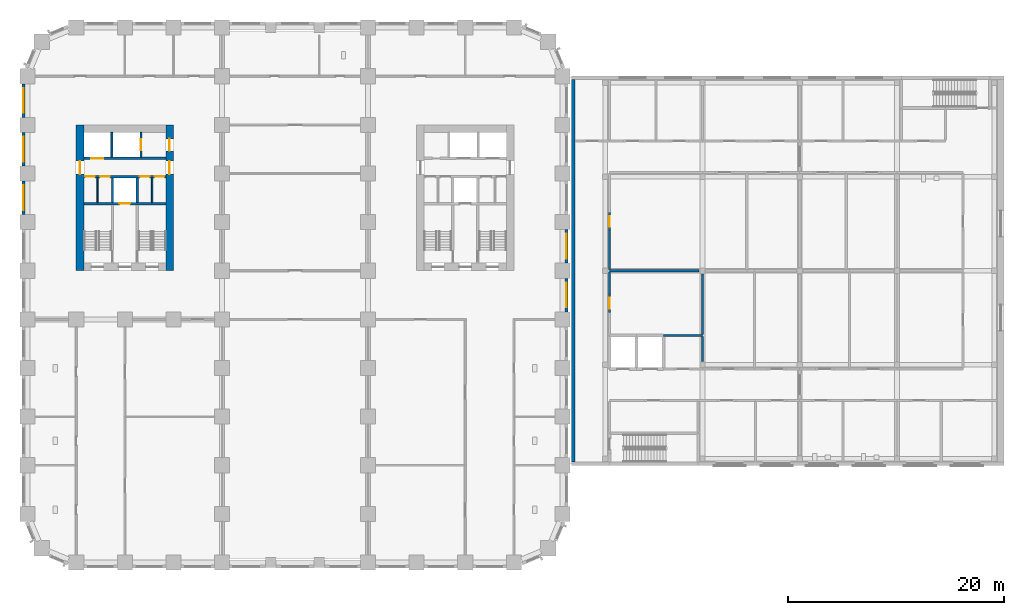
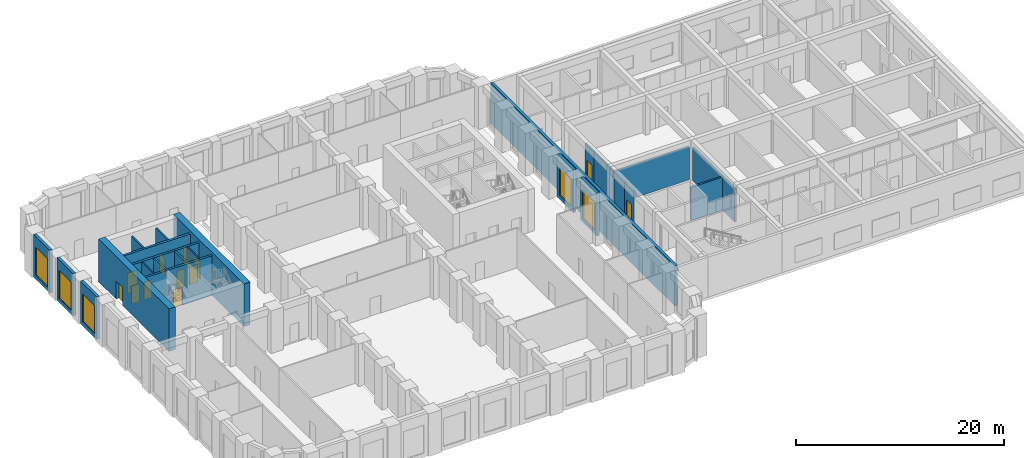
# One storey, part 6 of 19: 25 walls, 12 doors, 5 windows, 17 openings.
"""IFC4 building model written with IfcOpenShell, lengths in metres."""

from ifc_helpers import new_model, si_unit, direction, frame, frame_2d, origin, place, context, subcontext, project, spatial, rectangle, extrude, material, layer, layer_set, type_object, element, fill, save


model = new_model("IFC4")

# Units and contexts
model_context = context("Model", 3, precision=1e-05, world=origin(), true_north=direction((0.0, 1.0)))
body_context = subcontext(model_context, "Body", "Model", "MODEL_VIEW")
ifc_project = project(units=[si_unit("LENGTHUNIT", "METRE"), si_unit("AREAUNIT", "SQUARE_METRE"), si_unit("VOLUMEUNIT", "CUBIC_METRE"), si_unit("PLANEANGLEUNIT", "RADIAN"), si_unit("MASSUNIT", "GRAM", prefix="KILO")], contexts=[model_context])

# Site, building, storey
site_placement = place(None, origin())
site = spatial("IfcSite", under=ifc_project, at=site_placement, CompositionType="ELEMENT")
building_placement = place(site_placement, origin())
building = spatial("IfcBuilding", under=site, at=building_placement, Name="Girih Gate Residences", CompositionType="ELEMENT")
storey_placement = place(building_placement, frame((0.0, 0.0, 21.0)))
storey = spatial("IfcBuildingStorey", under=building, at=storey_placement, Name="L04", CompositionType="ELEMENT", Elevation=21.0)

# Wall, opening, door
ifc_material_1 = material(Name="Concrete C60/75", Category="concrete")
ifc_layer_1 = layer(ifc_material_1, 0.699951171875)
ifc_layer_set_1 = layer_set([ifc_layer_1], Name="Core wall RC 700 Concrete C60/75")
wall_type_1 = type_object("IfcWallType", Name="Core wall RC 700 Concrete C60/75", PredefinedType="SOLIDWALL", material=ifc_layer_set_1)
wall_1_placement = place(storey_placement, frame((4.85009765625, 27.0, 0.0), z_axis=(0.0, 0.0, 1.0), x_axis=(0.0, 1.0, 0.0)))
wall_1 = element("IfcWall", 1, at=wall_1_placement, inside=storey, type_object=wall_type_1, Name="Core wall W-W L04", PredefinedType="SOLIDWALL", context=body_context, shape_type="SweptSolid", body=[
    extrude(rectangle(XDim=13.5, YDim=0.699951171875, at=frame_2d((6.75, 0.0))), origin(), (0.0, 0.0, 1.0), 5.0),
])
opening_1_placement = place(wall_1_placement, frame((8.949951171875, 0.0, 0.0)))
opening_1 = element("IfcOpeningElement", 2, at=opening_1_placement, cuts=wall_1, Name="Opening D-L04-W-014", PredefinedType="OPENING", context=body_context, shape_type="SweptSolid", body=[
    extrude(rectangle(XDim=1.199951171875, YDim=2.10009765625, at=frame_2d((0.60009765625, 1.050048828125))), frame((0.0, 0.35986328125, 0.0), z_axis=(0.0, -1.0, 0.0), x_axis=(1.0, 0.0, 0.0)), (0.0, 0.0, 1.0), 0.719970703125),
])
ifc_material_2 = material(Name="Painted steel, fire-resisting", Category="steel")
door_type_1 = type_object("IfcDoorType", Name="Fire door 1200x2100", OperationType="SINGLE_SWING_LEFT", PredefinedType="DOOR", material=ifc_material_2)
door_1_placement = place(opening_1_placement, origin())
door_1 = element("IfcDoor", 3, at=door_1_placement, inside=storey, type_object=door_type_1, Name="L04 W core door ll-w", OperationType="SINGLE_SWING_LEFT", OverallHeight=2.10009765625, OverallWidth=1.199951171875, PredefinedType="DOOR", context=body_context, shape_type="SweptSolid", body=[
    extrude(rectangle(XDim=1.199951171875, YDim=2.10009765625, at=frame_2d((0.60009765625, 1.050048828125))), frame((0.0, 0.02490234375, 0.0), z_axis=(0.0, -1.0, 0.0), x_axis=(1.0, 0.0, 0.0)), (0.0, 0.0, 1.0), 0.050048828125),
])
fill(opening_1, door_1)

# Wall, openings, doors
wall_2_placement = place(storey_placement, frame((13.14990234375, 27.0, 0.0), z_axis=(0.0, 0.0, 1.0), x_axis=(0.0, 1.0, 0.0)))
wall_2 = element("IfcWall", 4, at=wall_2_placement, inside=storey, type_object=wall_type_1, Name="Core wall W-E L04", PredefinedType="SOLIDWALL", context=body_context, shape_type="SweptSolid", body=[
    extrude(rectangle(XDim=13.5, YDim=0.699951171875, at=frame_2d((6.75, 0.0))), origin(), (0.0, 0.0, 1.0), 5.0),
])
opening_2_placement = place(wall_2_placement, frame((11.10009765625, 0.0, 0.0)))
opening_2 = element("IfcOpeningElement", 5, at=opening_2_placement, cuts=wall_2, Name="Opening D-L04-W-013", PredefinedType="OPENING", context=body_context, shape_type="SweptSolid", body=[
    extrude(rectangle(XDim=1.10009765625, YDim=2.10009765625, at=frame_2d((0.550048828125, 1.050048828125))), frame((0.0, 0.35986328125, 0.0), z_axis=(0.0, -1.0, 0.0), x_axis=(1.0, 0.0, 0.0)), (0.0, 0.0, 1.0), 0.719970703125),
])
opening_3_placement = place(wall_2_placement, frame((8.949951171875, 0.0, 0.0)))
opening_3 = element("IfcOpeningElement", 6, at=opening_3_placement, cuts=wall_2, Name="Opening D-L04-W-015", PredefinedType="OPENING", context=body_context, shape_type="SweptSolid", body=[
    extrude(rectangle(XDim=1.199951171875, YDim=2.10009765625, at=frame_2d((0.60009765625, 1.050048828125))), frame((0.0, 0.35986328125, 0.0), z_axis=(0.0, -1.0, 0.0), x_axis=(1.0, 0.0, 0.0)), (0.0, 0.0, 1.0), 0.719970703125),
])
door_type_2 = type_object("IfcDoorType", Name="Fire door 1100x2100", OperationType="SINGLE_SWING_LEFT", PredefinedType="DOOR", material=ifc_material_2)
door_2_placement = place(opening_2_placement, origin())
door_2 = element("IfcDoor", 7, at=door_2_placement, inside=storey, type_object=door_type_2, Name="L04 W core door ffl2-e", OperationType="SINGLE_SWING_LEFT", OverallHeight=2.10009765625, OverallWidth=1.10009765625, PredefinedType="DOOR", context=body_context, shape_type="SweptSolid", body=[
    extrude(rectangle(XDim=1.10009765625, YDim=2.10009765625, at=frame_2d((0.550048828125, 1.050048828125))), frame((0.0, 0.02490234375, 0.0), z_axis=(0.0, -1.0, 0.0), x_axis=(1.0, 0.0, 0.0)), (0.0, 0.0, 1.0), 0.050048828125),
])
fill(opening_2, door_2)
door_3_placement = place(opening_3_placement, origin())
door_3 = element("IfcDoor", 8, at=door_3_placement, inside=storey, type_object=door_type_1, Name="L04 W core door ll-e", OperationType="SINGLE_SWING_LEFT", OverallHeight=2.10009765625, OverallWidth=1.199951171875, PredefinedType="DOOR", context=body_context, shape_type="SweptSolid", body=[
    extrude(rectangle(XDim=1.199951171875, YDim=2.10009765625, at=frame_2d((0.60009765625, 1.050048828125))), frame((0.0, 0.02490234375, 0.0), z_axis=(0.0, -1.0, 0.0), x_axis=(1.0, 0.0, 0.0)), (0.0, 0.0, 1.0), 0.050048828125),
])
fill(opening_3, door_3)

# Wall
ifc_material_3 = material(Name="Fire-rated gypsum partition")
ifc_layer_2 = layer(ifc_material_3, 0.199951171875)
ifc_layer_set_2 = layer_set([ifc_layer_2], Name="HC Corridor wall 200 EI 60")
wall_type_2 = type_object("IfcWallType", Name="HC Corridor wall 200 EI 60", PredefinedType="PARTITIONING", material=ifc_layer_set_2)
wall_3_placement = place(storey_placement, frame((58.85009765625, 21.0, 0.0), z_axis=(0.0, 0.0, 1.0), x_axis=(1.0, 0.0, 0.0)))
element("IfcWall", 9, at=wall_3_placement, inside=storey, type_object=wall_type_2, Name="L04 wall x21.00/58.9", PredefinedType="PARTITIONING", context=body_context, shape_type="SweptSolid", body=[
    extrude(rectangle(XDim=3.599853515625, YDim=0.199951171875, at=frame_2d((1.7998046875, 0.0))), origin(), (0.0, 0.0, 1.0), 3.89990234375),
])

# Wall, opening, door
wall_4_placement = place(storey_placement, frame((53.85009765625, 24.85009765625, 0.0), z_axis=(0.0, 0.0, 1.0), x_axis=(0.0, -1.0, 0.0)))
wall_4 = element("IfcWall", 10, at=wall_4_placement, inside=storey, type_object=wall_type_2, Name="L04 wall y53.85/23.1", PredefinedType="PARTITIONING", context=body_context, shape_type="SweptSolid", body=[
    extrude(rectangle(XDim=1.7001953125, YDim=0.199951171875, at=frame_2d((0.85009765625, 0.0))), origin(), (0.0, 0.0, 1.0), 3.89990234375),
])
opening_4_placement = place(wall_4_placement, frame((0.35009765625, 0.0, 0.0)))
opening_4 = element("IfcOpeningElement", 11, at=opening_4_placement, cuts=wall_4, Name="Opening HC-L04-D15", PredefinedType="OPENING", context=body_context, shape_type="SweptSolid", body=[
    extrude(rectangle(XDim=1.0, YDim=2.10009765625, at=frame_2d((0.5, 1.050048828125))), frame((0.0, 0.10986328125, 0.0), z_axis=(0.0, -1.0, 0.0), x_axis=(1.0, 0.0, 0.0)), (0.0, 0.0, 1.0), 0.219970703125),
])
ifc_material_4 = material(Name="Timber door set", Category="wood")
door_type_3 = type_object("IfcDoorType", Name="HC Door 1000x2100 FD30S", OperationType="NOTDEFINED", PredefinedType="DOOR", material=ifc_material_4)
door_4_placement = place(opening_4_placement, origin())
door_4 = element("IfcDoor", 12, at=door_4_placement, inside=storey, type_object=door_type_3, Name="L04 Seminar and training room door", OperationType="SINGLE_SWING_RIGHT", OverallHeight=2.10009765625, OverallWidth=1.0, PredefinedType="DOOR", context=body_context, shape_type="SweptSolid", body=[
    extrude(rectangle(XDim=1.0, YDim=2.10009765625, at=frame_2d((0.5, 1.050048828125))), frame((0.0, 0.02490234375, 0.0), z_axis=(0.0, -1.0, 0.0), x_axis=(1.0, 0.0, 0.0)), (0.0, 0.0, 1.0), 0.050048828125),
])
fill(opening_4, door_4)

# Walls
wall_5_placement = place(storey_placement, frame((53.85009765625, 24.85009765625, 0.0), z_axis=(0.0, 0.0, 1.0), x_axis=(0.0, 1.0, 0.0)))
element("IfcWall", 13, at=wall_5_placement, inside=storey, type_object=wall_type_2, Name="L04 wall y53.85/24.9", PredefinedType="PARTITIONING", context=body_context, shape_type="SweptSolid", body=[
    extrude(rectangle(XDim=2.0498046875, YDim=0.199951171875, at=frame_2d((1.02490234375, 0.0))), origin(), (0.0, 0.0, 1.0), 3.89990234375),
])
wall_6_placement = place(storey_placement, frame((53.85009765625, 27.10009765625, 0.0), z_axis=(0.0, 0.0, 1.0), x_axis=(0.0, 1.0, 0.0)))
element("IfcWall", 14, at=wall_6_placement, inside=storey, type_object=wall_type_2, Name="L04 wall y53.85/27.1", PredefinedType="PARTITIONING", context=body_context, shape_type="SweptSolid", body=[
    extrude(rectangle(XDim=3.599853515625, YDim=0.199951171875, at=frame_2d((1.7998046875, 0.0))), origin(), (0.0, 0.0, 1.0), 3.89990234375),
])

# Wall, opening, door
wall_7_placement = place(storey_placement, frame((53.85009765625, 32.39990234375, 0.0), z_axis=(0.0, 0.0, 1.0), x_axis=(0.0, -1.0, 0.0)))
wall_7 = element("IfcWall", 15, at=wall_7_placement, inside=storey, type_object=wall_type_2, Name="L04 wall y53.85/30.7", PredefinedType="PARTITIONING", context=body_context, shape_type="SweptSolid", body=[
    extrude(rectangle(XDim=1.699951171875, YDim=0.199951171875, at=frame_2d((0.85009765625, 0.0))), origin(), (0.0, 0.0, 1.0), 3.89990234375),
])
opening_5_placement = place(wall_7_placement, frame((0.35009765625, 0.0, 0.0)))
opening_5 = element("IfcOpeningElement", 16, at=opening_5_placement, cuts=wall_7, Name="Opening HC-L04-D21", PredefinedType="OPENING", context=body_context, shape_type="SweptSolid", body=[
    extrude(rectangle(XDim=1.0, YDim=2.10009765625, at=frame_2d((0.5, 1.050048828125))), frame((0.0, 0.10986328125, 0.0), z_axis=(0.0, -1.0, 0.0), x_axis=(1.0, 0.0, 0.0)), (0.0, 0.0, 1.0), 0.219970703125),
])
door_5_placement = place(opening_5_placement, origin())
door_5 = element("IfcDoor", 17, at=door_5_placement, inside=storey, type_object=door_type_3, Name="L04 Staff lounge 1 door", OperationType="SINGLE_SWING_RIGHT", OverallHeight=2.10009765625, OverallWidth=1.0, PredefinedType="DOOR", context=body_context, shape_type="SweptSolid", body=[
    extrude(rectangle(XDim=1.0, YDim=2.10009765625, at=frame_2d((0.5, 1.050048828125))), frame((0.0, 0.02490234375, 0.0), z_axis=(0.0, -1.0, 0.0), x_axis=(1.0, 0.0, 0.0)), (0.0, 0.0, 1.0), 0.050048828125),
])
fill(opening_5, door_5)

# Walls
wall_8_placement = place(storey_placement, frame((62.449951171875, 18.60009765625, 0.0), z_axis=(0.0, 0.0, 1.0), x_axis=(0.0, 1.0, 0.0)))
element("IfcWall", 18, at=wall_8_placement, inside=storey, type_object=wall_type_2, Name="L04 wall y62.45/18.6", PredefinedType="PARTITIONING", context=body_context, shape_type="SweptSolid", body=[
    extrude(rectangle(XDim=2.2998046875, YDim=0.199951171875, at=frame_2d((1.14990234375, 0.0))), origin(), (0.0, 0.0, 1.0), 3.89990234375),
])
ifc_material_5 = material(Name="Precast concrete C40/50", Category="concrete")
ifc_layer_3 = layer(ifc_material_5, 0.300048828125)
ifc_layer_set_3 = layer_set([ifc_layer_3], Name="HC Facade wall 300")
wall_type_3 = type_object("IfcWallType", Name="HC Facade wall 300", PredefinedType="SOLIDWALL", material=ifc_layer_set_3)
wall_9_placement = place(storey_placement, frame((50.5, 9.300048828125, 0.0), z_axis=(0.0, 0.0, 1.0), x_axis=(0.0, 1.0, 0.0)))
element("IfcWall", 19, at=wall_9_placement, inside=storey, type_object=wall_type_3, Name="L04 west facade wall", PredefinedType="SOLIDWALL", context=body_context, shape_type="SweptSolid", body=[
    extrude(rectangle(XDim=35.39990234375, YDim=0.300048828125, at=frame_2d((17.699951171875, 0.0))), origin(), (0.0, 0.0, 1.0), 4.699951171875),
])
ifc_material_6 = material(Name="Gypsum partition")
ifc_layer_4 = layer(ifc_material_6, 0.199951171875)
ifc_layer_set_4 = layer_set([ifc_layer_4], Name="HC Room partition 200 EI 30")
wall_type_4 = type_object("IfcWallType", Name="HC Room partition 200 EI 30", PredefinedType="PARTITIONING", material=ifc_layer_set_4)
wall_10_placement = place(storey_placement, frame((53.85009765625, 27.0, 0.0), z_axis=(0.0, 0.0, 1.0), x_axis=(1.0, 0.0, 0.0)))
element("IfcWall", 20, at=wall_10_placement, inside=storey, type_object=wall_type_4, Name="L04 wall x27.00/53.9", PredefinedType="PARTITIONING", context=body_context, shape_type="SweptSolid", body=[
    extrude(rectangle(XDim=8.2998046875, YDim=0.199951171875, at=frame_2d((4.14990234375, 0.0))), origin(), (0.0, 0.0, 1.0), 3.89990234375),
])
wall_11_placement = place(storey_placement, frame((62.449951171875, 21.10009765625, 0.0), z_axis=(0.0, 0.0, 1.0), x_axis=(0.0, 1.0, 0.0)))
element("IfcWall", 21, at=wall_11_placement, inside=storey, type_object=wall_type_4, Name="L04 wall y62.45/21.1", PredefinedType="PARTITIONING", context=body_context, shape_type="SweptSolid", body=[
    extrude(rectangle(XDim=5.599853515625, YDim=0.199951171875, at=frame_2d((2.7998046875, 0.0))), origin(), (0.0, 0.0, 1.0), 3.89990234375),
])

# Wall, opening, door
ifc_material_7 = material(Name="Concrete C40/50", Category="concrete")
ifc_layer_5 = layer(ifc_material_7, 0.25)
ifc_layer_set_5 = layer_set([ifc_layer_5], Name="Lift shaft wall 250")
wall_type_5 = type_object("IfcWallType", Name="Lift shaft wall 250", PredefinedType="SOLIDWALL", material=ifc_layer_set_5)
wall_12_placement = place(storey_placement, frame((5.199951171875, 33.199951171875, 0.0), z_axis=(0.0, 0.0, 1.0), x_axis=(1.0, 0.0, 0.0)))
wall_12 = element("IfcWall", 22, at=wall_12_placement, inside=storey, type_object=wall_type_5, Name="L04 W core wall H1", PredefinedType="SOLIDWALL", context=body_context, shape_type="SweptSolid", body=[
    extrude(rectangle(XDim=7.60009765625, YDim=0.25, at=frame_2d((3.800048828125, 0.0))), origin(), (0.0, 0.0, 1.0), 4.64990234375),
])
opening_6_placement = place(wall_12_placement, frame((3.300048828125, 0.0, 0.0)))
opening_6 = element("IfcOpeningElement", 23, at=opening_6_placement, cuts=wall_12, Name="Opening D-L04-W-005", PredefinedType="OPENING", context=body_context, shape_type="SweptSolid", body=[
    extrude(rectangle(XDim=1.0, YDim=2.10009765625, at=frame_2d((0.5, 1.050048828125))), frame((0.0, 0.135009765625, 0.0), z_axis=(0.0, -1.0, 0.0), x_axis=(1.0, 0.0, 0.0)), (0.0, 0.0, 1.0), 0.27001953125),
])
ifc_material_8 = material(Name="Stainless steel, fire-resisting", Category="steel")
door_type_4 = type_object("IfcDoorType", Name="Firefighting lift landing door 1000x2100", OperationType="SLIDING_TO_LEFT", PredefinedType="DOOR", material=ifc_material_8)
door_6_placement = place(opening_6_placement, origin())
door_6 = element("IfcDoor", 24, at=door_6_placement, inside=storey, type_object=door_type_4, Name="L04 lift FF-W landing door", OperationType="SLIDING_TO_LEFT", OverallHeight=2.10009765625, OverallWidth=1.0, PredefinedType="DOOR", context=body_context, shape_type="SweptSolid", body=[
    extrude(rectangle(XDim=1.0, YDim=2.10009765625, at=frame_2d((0.5, 1.050048828125))), frame((0.0, 0.02490234375, 0.0), z_axis=(0.0, -1.0, 0.0), x_axis=(1.0, 0.0, 0.0)), (0.0, 0.0, 1.0), 0.050048828125),
])
fill(opening_6, door_6)

# Wall, openings, doors
wall_13_placement = place(storey_placement, frame((5.199951171875, 35.699951171875, 0.0), z_axis=(0.0, 0.0, 1.0), x_axis=(1.0, 0.0, 0.0)))
wall_13 = element("IfcWall", 25, at=wall_13_placement, inside=storey, type_object=wall_type_5, Name="L04 W core wall H2", PredefinedType="SOLIDWALL", context=body_context, shape_type="SweptSolid", body=[
    extrude(rectangle(XDim=7.60009765625, YDim=0.25, at=frame_2d((3.800048828125, 0.0))), origin(), (0.0, 0.0, 1.0), 4.64990234375),
])
opening_7_placement = place(wall_13_placement, frame((0.137451171875, 0.0, 0.0)))
opening_7 = element("IfcOpeningElement", 26, at=opening_7_placement, cuts=wall_13, Name="Opening D-L04-W-006", PredefinedType="OPENING", context=body_context, shape_type="SweptSolid", body=[
    extrude(rectangle(XDim=0.89990234375, YDim=2.10009765625, at=frame_2d((0.449951171875, 1.050048828125))), frame((0.0, 0.135009765625, 0.0), z_axis=(0.0, -1.0, 0.0), x_axis=(1.0, 0.0, 0.0)), (0.0, 0.0, 1.0), 0.27001953125),
])
opening_8_placement = place(wall_13_placement, frame((1.512451171875, 0.0, 0.0)))
opening_8 = element("IfcOpeningElement", 27, at=opening_8_placement, cuts=wall_13, Name="Opening D-L04-W-007", PredefinedType="OPENING", context=body_context, shape_type="SweptSolid", body=[
    extrude(rectangle(XDim=0.89990234375, YDim=2.10009765625, at=frame_2d((0.449951171875, 1.050048828125))), frame((0.0, 0.135009765625, 0.0), z_axis=(0.0, -1.0, 0.0), x_axis=(1.0, 0.0, 0.0)), (0.0, 0.0, 1.0), 0.27001953125),
])
opening_9_placement = place(wall_13_placement, frame((5.1875, 0.0, 0.0)))
opening_9 = element("IfcOpeningElement", 28, at=opening_9_placement, cuts=wall_13, Name="Opening D-L04-W-008", PredefinedType="OPENING", context=body_context, shape_type="SweptSolid", body=[
    extrude(rectangle(XDim=0.89990234375, YDim=2.10009765625, at=frame_2d((0.449951171875, 1.050048828125))), frame((0.0, 0.135009765625, 0.0), z_axis=(0.0, -1.0, 0.0), x_axis=(1.0, 0.0, 0.0)), (0.0, 0.0, 1.0), 0.27001953125),
])
opening_10_placement = place(wall_13_placement, frame((6.5625, 0.0, 0.0)))
opening_10 = element("IfcOpeningElement", 29, at=opening_10_placement, cuts=wall_13, Name="Opening D-L04-W-009", PredefinedType="OPENING", context=body_context, shape_type="SweptSolid", body=[
    extrude(rectangle(XDim=0.89990234375, YDim=2.10009765625, at=frame_2d((0.449951171875, 1.050048828125))), frame((0.0, 0.135009765625, 0.0), z_axis=(0.0, -1.0, 0.0), x_axis=(1.0, 0.0, 0.0)), (0.0, 0.0, 1.0), 0.27001953125),
])
door_type_5 = type_object("IfcDoorType", Name="Fire door 900x2100", OperationType="SINGLE_SWING_LEFT", PredefinedType="DOOR", material=ifc_material_2)
door_7_placement = place(opening_7_placement, origin())
door_7 = element("IfcDoor", 30, at=door_7_placement, inside=storey, type_object=door_type_5, Name="L04 W cleaners store door", OperationType="SINGLE_SWING_LEFT", OverallHeight=2.10009765625, OverallWidth=0.89990234375, PredefinedType="DOOR", context=body_context, shape_type="SweptSolid", body=[
    extrude(rectangle(XDim=0.89990234375, YDim=2.10009765625, at=frame_2d((0.449951171875, 1.050048828125))), frame((0.0, 0.02490234375, 0.0), z_axis=(0.0, -1.0, 0.0), x_axis=(1.0, 0.0, 0.0)), (0.0, 0.0, 1.0), 0.050048828125),
])
fill(opening_7, door_7)
door_8_placement = place(opening_8_placement, origin())
door_8 = element("IfcDoor", 31, at=door_8_placement, inside=storey, type_object=door_type_5, Name="L04 W riser room door", OperationType="SINGLE_SWING_LEFT", OverallHeight=2.10009765625, OverallWidth=0.89990234375, PredefinedType="DOOR", context=body_context, shape_type="SweptSolid", body=[
    extrude(rectangle(XDim=0.89990234375, YDim=2.10009765625, at=frame_2d((0.449951171875, 1.050048828125))), frame((0.0, 0.02490234375, 0.0), z_axis=(0.0, -1.0, 0.0), x_axis=(1.0, 0.0, 0.0)), (0.0, 0.0, 1.0), 0.050048828125),
])
fill(opening_8, door_8)
door_9_placement = place(opening_9_placement, origin())
door_9 = element("IfcDoor", 32, at=door_9_placement, inside=storey, type_object=door_type_5, Name="L04 W electrical room door", OperationType="SINGLE_SWING_LEFT", OverallHeight=2.10009765625, OverallWidth=0.89990234375, PredefinedType="DOOR", context=body_context, shape_type="SweptSolid", body=[
    extrude(rectangle(XDim=0.89990234375, YDim=2.10009765625, at=frame_2d((0.449951171875, 1.050048828125))), frame((0.0, 0.02490234375, 0.0), z_axis=(0.0, -1.0, 0.0), x_axis=(1.0, 0.0, 0.0)), (0.0, 0.0, 1.0), 0.050048828125),
])
fill(opening_9, door_9)
door_10_placement = place(opening_10_placement, origin())
door_10 = element("IfcDoor", 33, at=door_10_placement, inside=storey, type_object=door_type_5, Name="L04 W linen store door", OperationType="SINGLE_SWING_LEFT", OverallHeight=2.10009765625, OverallWidth=0.89990234375, PredefinedType="DOOR", context=body_context, shape_type="SweptSolid", body=[
    extrude(rectangle(XDim=0.89990234375, YDim=2.10009765625, at=frame_2d((0.449951171875, 1.050048828125))), frame((0.0, 0.02490234375, 0.0), z_axis=(0.0, -1.0, 0.0), x_axis=(1.0, 0.0, 0.0)), (0.0, 0.0, 1.0), 0.050048828125),
])
fill(opening_10, door_10)

# Wall, opening, door
wall_14_placement = place(storey_placement, frame((5.199951171875, 37.39990234375, 0.0), z_axis=(0.0, 0.0, 1.0), x_axis=(1.0, 0.0, 0.0)))
wall_14 = element("IfcWall", 34, at=wall_14_placement, inside=storey, type_object=wall_type_5, Name="L04 W core wall H3", PredefinedType="SOLIDWALL", context=body_context, shape_type="SweptSolid", body=[
    extrude(rectangle(XDim=7.60009765625, YDim=0.25, at=frame_2d((3.800048828125, 0.0))), origin(), (0.0, 0.0, 1.0), 4.64990234375),
])
opening_11_placement = place(wall_14_placement, frame((0.699951171875, 0.0, 0.0)))
opening_11 = element("IfcOpeningElement", 35, at=opening_11_placement, cuts=wall_14, Name="Opening D-L04-W-003", PredefinedType="OPENING", context=body_context, shape_type="SweptSolid", body=[
    extrude(rectangle(XDim=1.10009765625, YDim=2.39990234375, at=frame_2d((0.550048828125, 1.199951171875))), frame((0.0, 0.135009765625, 0.0), z_axis=(0.0, -1.0, 0.0), x_axis=(1.0, 0.0, 0.0)), (0.0, 0.0, 1.0), 0.27001953125),
])
ifc_material_9 = material(Name="Stainless steel", Category="steel")
door_type_6 = type_object("IfcDoorType", Name="Lift landing door 1100x2400", OperationType="SLIDING_TO_LEFT", PredefinedType="DOOR", material=ifc_material_9)
door_11_placement = place(opening_11_placement, origin())
door_11 = element("IfcDoor", 36, at=door_11_placement, inside=storey, type_object=door_type_6, Name="L04 lift LR-W1 landing door", OperationType="SLIDING_TO_LEFT", OverallHeight=2.39990234375, OverallWidth=1.10009765625, PredefinedType="DOOR", context=body_context, shape_type="SweptSolid", body=[
    extrude(rectangle(XDim=1.10009765625, YDim=2.39990234375, at=frame_2d((0.550048828125, 1.199951171875))), frame((0.0, 0.02490234375, 0.0), z_axis=(0.0, -1.0, 0.0), x_axis=(1.0, 0.0, 0.0)), (0.0, 0.0, 1.0), 0.050048828125),
])
fill(opening_11, door_11)

# Wall, opening, window
ifc_material_10 = material(Name="Precast concrete C50/60", Category="concrete")
ifc_layer_6 = layer(ifc_material_10, 0.080078125, Name="Outer leaf")
ifc_material_11 = material(Name="Rigid PIR insulation")
ifc_layer_7 = layer(ifc_material_11, 0.14990234375, Name="Insulation")
ifc_layer_8 = layer(ifc_material_5, 0.070068359375, Name="Inner leaf")
ifc_layer_set_6 = layer_set([ifc_layer_6, ifc_layer_7, ifc_layer_8], Name="Precast concrete C50/60 external wall 300")
wall_type_6 = type_object("IfcWallType", Name="Precast concrete C50/60 external wall 300", PredefinedType="SOLIDWALL", material=ifc_layer_set_6)
wall_15_placement = place(storey_placement, frame((49.875, 26.300048828125, 0.0), z_axis=(0.0, 0.0, 1.0), x_axis=(0.0, -1.0, 0.0)))
wall_15 = element("IfcWall", 37, at=wall_15_placement, inside=storey, type_object=wall_type_6, Name="External wall E0495_0045.4", PredefinedType="SOLIDWALL", context=body_context, shape_type="SweptSolid", body=[
    extrude(rectangle(XDim=3.10009765625, YDim=0.300048828125, at=frame_2d((1.550048828125, 0.0))), origin(), (0.0, 0.0, 1.0), 5.0),
])
opening_12_placement = place(wall_15_placement, frame((0.39990234375, 0.0, 0.449951171875)))
opening_12 = element("IfcOpeningElement", 38, at=opening_12_placement, cuts=wall_15, Name="Opening W-3", PredefinedType="OPENING", context=body_context, shape_type="SweptSolid", body=[
    extrude(rectangle(XDim=2.300048828125, YDim=3.300048828125, at=frame_2d((1.14990234375, 1.64990234375))), frame((0.0, 0.159912109375, 0.0), z_axis=(0.0, -1.0, 0.0), x_axis=(1.0, 0.0, 0.0)), (0.0, 0.0, 1.0), 0.320068359375),
])
ifc_material_12 = material(Name="Double glazing in aluminium frame", Category="aluminium")
window_type = type_object("IfcWindowType", Name="Window W-3 2300x3300", PartitioningType="SINGLE_PANEL", PredefinedType="WINDOW", material=ifc_material_12)
window_1_placement = place(opening_12_placement, origin())
window_1 = element("IfcWindow", 39, at=window_1_placement, inside=storey, type_object=window_type, Name="Window W-3 E0495_0045.4", OverallHeight=3.300048828125, OverallWidth=2.300048828125, PartitioningType="SINGLE_PANEL", PredefinedType="WINDOW", context=body_context, shape_type="SweptSolid", body=[
    extrude(rectangle(XDim=2.300048828125, YDim=3.300048828125, at=frame_2d((1.14990234375, 1.64990234375))), frame((0.0, 0.030029296875, 0.0), z_axis=(0.0, -1.0, 0.0), x_axis=(1.0, 0.0, 0.0)), (0.0, 0.0, 1.0), 0.06005859375),
])
fill(opening_12, window_1)

wall_16_placement = place(storey_placement, frame((49.875, 30.800048828125, 0.0), z_axis=(0.0, 0.0, 1.0), x_axis=(0.0, -1.0, 0.0)))
wall_16 = element("IfcWall", 40, at=wall_16_placement, inside=storey, type_object=wall_type_6, Name="External wall E0495_0045.5", PredefinedType="SOLIDWALL", context=body_context, shape_type="SweptSolid", body=[
    extrude(rectangle(XDim=3.10009765625, YDim=0.300048828125, at=frame_2d((1.550048828125, 0.0))), origin(), (0.0, 0.0, 1.0), 5.0),
])
opening_13_placement = place(wall_16_placement, frame((0.39990234375, 0.0, 0.449951171875)))
opening_13 = element("IfcOpeningElement", 41, at=opening_13_placement, cuts=wall_16, Name="Opening W-3", PredefinedType="OPENING", context=body_context, shape_type="SweptSolid", body=[
    extrude(rectangle(XDim=2.300048828125, YDim=3.300048828125, at=frame_2d((1.14990234375, 1.64990234375))), frame((0.0, 0.159912109375, 0.0), z_axis=(0.0, -1.0, 0.0), x_axis=(1.0, 0.0, 0.0)), (0.0, 0.0, 1.0), 0.320068359375),
])
window_2_placement = place(opening_13_placement, origin())
window_2 = element("IfcWindow", 42, at=window_2_placement, inside=storey, type_object=window_type, Name="Window W-3 E0495_0045.5", OverallHeight=3.300048828125, OverallWidth=2.300048828125, PartitioningType="SINGLE_PANEL", PredefinedType="WINDOW", context=body_context, shape_type="SweptSolid", body=[
    extrude(rectangle(XDim=2.300048828125, YDim=3.300048828125, at=frame_2d((1.14990234375, 1.64990234375))), frame((0.0, 0.030029296875, 0.0), z_axis=(0.0, -1.0, 0.0), x_axis=(1.0, 0.0, 0.0)), (0.0, 0.0, 1.0), 0.06005859375),
])
fill(opening_13, window_2)

wall_17_placement = place(storey_placement, frame((-0.375, 41.199951171875, 0.0), z_axis=(0.0, 0.0, 1.0), x_axis=(0.0, 1.0, 0.0)))
wall_17 = element("IfcWall", 43, at=wall_17_placement, inside=storey, type_object=wall_type_6, Name="External wall W0000_0450.0", PredefinedType="SOLIDWALL", context=body_context, shape_type="SweptSolid", body=[
    extrude(rectangle(XDim=3.10009765625, YDim=0.300048828125, at=frame_2d((1.550048828125, 0.0))), origin(), (0.0, 0.0, 1.0), 5.0),
])
opening_14_placement = place(wall_17_placement, frame((0.39990234375, 0.0, 0.449951171875)))
opening_14 = element("IfcOpeningElement", 44, at=opening_14_placement, cuts=wall_17, Name="Opening W-3", PredefinedType="OPENING", context=body_context, shape_type="SweptSolid", body=[
    extrude(rectangle(XDim=2.300048828125, YDim=3.300048828125, at=frame_2d((1.14990234375, 1.64990234375))), frame((0.0, 0.159912109375, 0.0), z_axis=(0.0, -1.0, 0.0), x_axis=(1.0, 0.0, 0.0)), (0.0, 0.0, 1.0), 0.320068359375),
])
window_3_placement = place(opening_14_placement, origin())
window_3 = element("IfcWindow", 45, at=window_3_placement, inside=storey, type_object=window_type, Name="Window W-3 W0000_0450.0", OverallHeight=3.300048828125, OverallWidth=2.300048828125, PartitioningType="SINGLE_PANEL", PredefinedType="WINDOW", context=body_context, shape_type="SweptSolid", body=[
    extrude(rectangle(XDim=2.300048828125, YDim=3.300048828125, at=frame_2d((1.14990234375, 1.64990234375))), frame((0.0, 0.030029296875, 0.0), z_axis=(0.0, -1.0, 0.0), x_axis=(1.0, 0.0, 0.0)), (0.0, 0.0, 1.0), 0.06005859375),
])
fill(opening_14, window_3)

wall_18_placement = place(storey_placement, frame((-0.375, 36.699951171875, 0.0), z_axis=(0.0, 0.0, 1.0), x_axis=(0.0, 1.0, 0.0)))
wall_18 = element("IfcWall", 46, at=wall_18_placement, inside=storey, type_object=wall_type_6, Name="External wall W0000_0450.1", PredefinedType="SOLIDWALL", context=body_context, shape_type="SweptSolid", body=[
    extrude(rectangle(XDim=3.10009765625, YDim=0.300048828125, at=frame_2d((1.550048828125, 0.0))), origin(), (0.0, 0.0, 1.0), 5.0),
])
opening_15_placement = place(wall_18_placement, frame((0.39990234375, 0.0, 0.449951171875)))
opening_15 = element("IfcOpeningElement", 47, at=opening_15_placement, cuts=wall_18, Name="Opening W-3", PredefinedType="OPENING", context=body_context, shape_type="SweptSolid", body=[
    extrude(rectangle(XDim=2.300048828125, YDim=3.300048828125, at=frame_2d((1.14990234375, 1.64990234375))), frame((0.0, 0.159912109375, 0.0), z_axis=(0.0, -1.0, 0.0), x_axis=(1.0, 0.0, 0.0)), (0.0, 0.0, 1.0), 0.320068359375),
])
window_4_placement = place(opening_15_placement, origin())
window_4 = element("IfcWindow", 48, at=window_4_placement, inside=storey, type_object=window_type, Name="Window W-3 W0000_0450.1", OverallHeight=3.300048828125, OverallWidth=2.300048828125, PartitioningType="SINGLE_PANEL", PredefinedType="WINDOW", context=body_context, shape_type="SweptSolid", body=[
    extrude(rectangle(XDim=2.300048828125, YDim=3.300048828125, at=frame_2d((1.14990234375, 1.64990234375))), frame((0.0, 0.030029296875, 0.0), z_axis=(0.0, -1.0, 0.0), x_axis=(1.0, 0.0, 0.0)), (0.0, 0.0, 1.0), 0.06005859375),
])
fill(opening_15, window_4)

wall_19_placement = place(storey_placement, frame((-0.375, 32.199951171875, 0.0), z_axis=(0.0, 0.0, 1.0), x_axis=(0.0, 1.0, 0.0)))
wall_19 = element("IfcWall", 49, at=wall_19_placement, inside=storey, type_object=wall_type_6, Name="External wall W0000_0450.2", PredefinedType="SOLIDWALL", context=body_context, shape_type="SweptSolid", body=[
    extrude(rectangle(XDim=3.10009765625, YDim=0.300048828125, at=frame_2d((1.550048828125, 0.0))), origin(), (0.0, 0.0, 1.0), 5.0),
])
opening_16_placement = place(wall_19_placement, frame((0.39990234375, 0.0, 0.449951171875)))
opening_16 = element("IfcOpeningElement", 50, at=opening_16_placement, cuts=wall_19, Name="Opening W-3", PredefinedType="OPENING", context=body_context, shape_type="SweptSolid", body=[
    extrude(rectangle(XDim=2.300048828125, YDim=3.300048828125, at=frame_2d((1.14990234375, 1.64990234375))), frame((0.0, 0.159912109375, 0.0), z_axis=(0.0, -1.0, 0.0), x_axis=(1.0, 0.0, 0.0)), (0.0, 0.0, 1.0), 0.320068359375),
])
window_5_placement = place(opening_16_placement, origin())
window_5 = element("IfcWindow", 51, at=window_5_placement, inside=storey, type_object=window_type, Name="Window W-3 W0000_0450.2", OverallHeight=3.300048828125, OverallWidth=2.300048828125, PartitioningType="SINGLE_PANEL", PredefinedType="WINDOW", context=body_context, shape_type="SweptSolid", body=[
    extrude(rectangle(XDim=2.300048828125, YDim=3.300048828125, at=frame_2d((1.14990234375, 1.64990234375))), frame((0.0, 0.030029296875, 0.0), z_axis=(0.0, -1.0, 0.0), x_axis=(1.0, 0.0, 0.0)), (0.0, 0.0, 1.0), 0.06005859375),
])
fill(opening_16, window_5)

# Wall
ifc_layer_9 = layer(ifc_material_7, 0.175048828125)
ifc_layer_set_7 = layer_set([ifc_layer_9], Name="Riser shaft wall 175")
wall_type_7 = type_object("IfcWallType", Name="Riser shaft wall 175", PredefinedType="SOLIDWALL", material=ifc_layer_set_7)
wall_20_placement = place(storey_placement, frame((7.800048828125, 37.5, 0.0), z_axis=(0.0, 0.0, 1.0), x_axis=(0.0, 1.0, 0.0)))
element("IfcWall", 52, at=wall_20_placement, inside=storey, type_object=wall_type_7, Name="L04 W core wall V1c", PredefinedType="SOLIDWALL", context=body_context, shape_type="SweptSolid", body=[
    extrude(rectangle(XDim=2.300048828125, YDim=0.175048828125, at=frame_2d((1.14990234375, 0.0))), origin(), (0.0, 0.0, 1.0), 4.64990234375),
])

# Wall, opening, door
wall_21_placement = place(storey_placement, frame((10.5, 37.5, 0.0), z_axis=(0.0, 0.0, 1.0), x_axis=(0.0, 1.0, 0.0)))
wall_21 = element("IfcWall", 53, at=wall_21_placement, inside=storey, type_object=wall_type_7, Name="L04 W core wall V2c", PredefinedType="SOLIDWALL", context=body_context, shape_type="SweptSolid", body=[
    extrude(rectangle(XDim=2.300048828125, YDim=0.175048828125, at=frame_2d((1.14990234375, 0.0))), origin(), (0.0, 0.0, 1.0), 4.64990234375),
])
opening_17_placement = place(wall_21_placement, frame((0.64990234375, 0.0, 0.0)))
opening_17 = element("IfcOpeningElement", 54, at=opening_17_placement, cuts=wall_21, Name="Opening D-L04-W-004", PredefinedType="OPENING", context=body_context, shape_type="SweptSolid", body=[
    extrude(rectangle(XDim=1.0, YDim=2.10009765625, at=frame_2d((0.5, 1.050048828125))), frame((0.0, 0.097412109375, 0.0), z_axis=(0.0, -1.0, 0.0), x_axis=(1.0, 0.0, 0.0)), (0.0, 0.0, 1.0), 0.195068359375),
])
door_12_placement = place(opening_17_placement, origin())
door_12 = element("IfcDoor", 55, at=door_12_placement, inside=storey, type_object=door_type_4, Name="L04 lift FF-W2 landing door", OperationType="SLIDING_TO_LEFT", OverallHeight=2.10009765625, OverallWidth=1.0, PredefinedType="DOOR", context=body_context, shape_type="SweptSolid", body=[
    extrude(rectangle(XDim=1.0, YDim=2.10009765625, at=frame_2d((0.5, 1.050048828125))), frame((0.0, 0.02490234375, 0.0), z_axis=(0.0, -1.0, 0.0), x_axis=(1.0, 0.0, 0.0)), (0.0, 0.0, 1.0), 0.050048828125),
])
fill(opening_17, door_12)

# Walls
ifc_layer_10 = layer(ifc_material_7, 0.199951171875)
ifc_layer_set_8 = layer_set([ifc_layer_10], Name="Shaft wall 200")
wall_type_8 = type_object("IfcWallType", Name="Shaft wall 200", PredefinedType="SOLIDWALL", material=ifc_layer_set_8)
for number, where, z_axis, x_axis, name in (
    (56, (7.85009765625, 33.300048828125, 0.0), (0.0, 0.0, 1.0), (0.0, 1.0, 0.0), "L04 W core wall V1b"),
    (57, (10.14990234375, 33.300048828125, 0.0), (0.0, 0.0, 1.0), (0.0, 1.0, 0.0), "L04 W core wall V2b"),
):
    element("IfcWall", number, at=place(storey_placement, frame(where, z_axis=z_axis, x_axis=x_axis)), inside=storey, type_object=wall_type_8, Name=name, PredefinedType="SOLIDWALL", context=body_context, shape_type="SweptSolid", body=[
        extrude(rectangle(XDim=2.300048828125, YDim=0.199951171875, at=frame_2d((1.14990234375, 0.0))), origin(), (0.0, 0.0, 1.0), 4.64990234375),
    ])
ifc_material_13 = material(Name="Calcium silicate blockwork", Category="masonry")
ifc_layer_11 = layer(ifc_material_13, 0.125)
ifc_layer_set_9 = layer_set([ifc_layer_11], Name="Store partition 125")
wall_type_9 = type_object("IfcWallType", Name="Store partition 125", PredefinedType="PARTITIONING", material=ifc_layer_set_9)
for number, where, z_axis, x_axis, name in (
    (58, (6.47509765625, 33.300048828125, 0.0), (0.0, 0.0, 1.0), (0.0, 1.0, 0.0), "L04 W core wall SHR1"),
    (59, (11.52490234375, 33.300048828125, 0.0), (0.0, 0.0, 1.0), (0.0, 1.0, 0.0), "L04 W core wall SHR2"),
):
    element("IfcWall", number, at=place(storey_placement, frame(where, z_axis=z_axis, x_axis=x_axis)), inside=storey, type_object=wall_type_9, Name=name, PredefinedType="PARTITIONING", context=body_context, shape_type="SweptSolid", body=[
        extrude(rectangle(XDim=2.300048828125, YDim=0.125, at=frame_2d((1.14990234375, 0.0))), origin(), (0.0, 0.0, 1.0), 4.64990234375),
    ])

save(model, "model.ifc")
